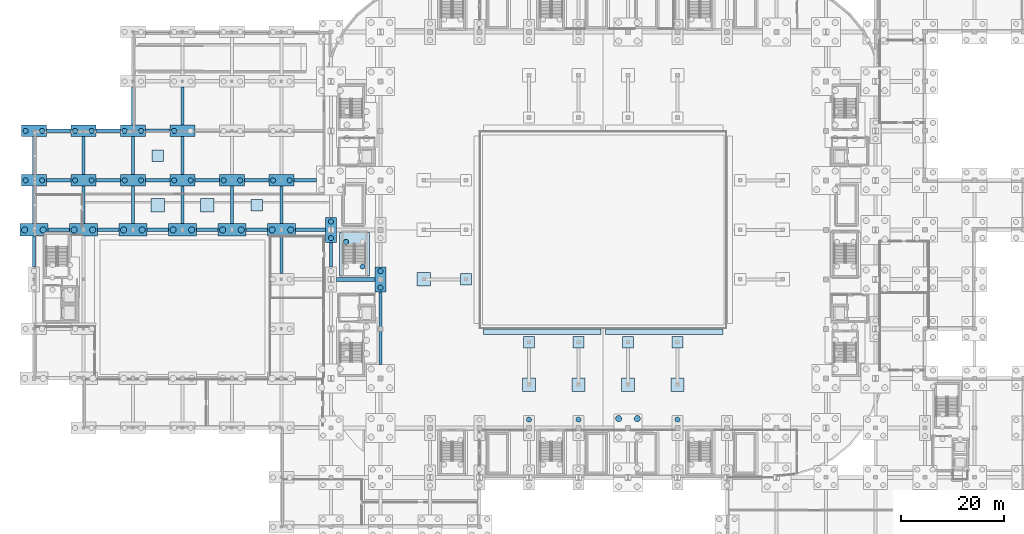
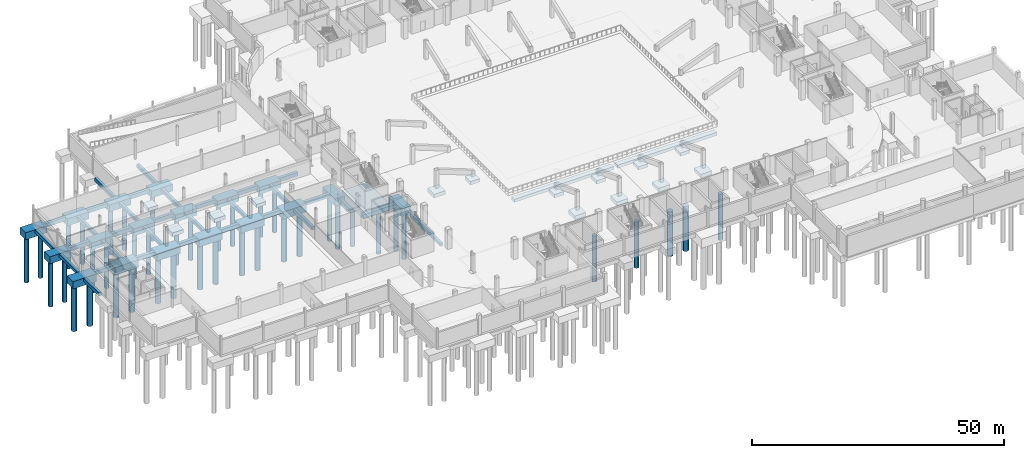
# One storey, part 3 of 67: 67 footings, 42 piles.
"""IFC4 building model written with IfcOpenShell, lengths in metres."""

from ifc_helpers import new_model, si_unit, direction, frame, origin, origin_2d, place, context, subcontext, project, spatial, polyline, rectangle, circle, outline, extrude, material, material_profile, profile_set, type_object, element, save


model = new_model("IFC4")

# Units and contexts
model_context = context("Model", 3, precision=1e-05, world=origin(), true_north=direction((0.0, 1.0)))
body_context = subcontext(model_context, "Body", "Model", "MODEL_VIEW")
ifc_project = project(units=[si_unit("LENGTHUNIT", "METRE"), si_unit("AREAUNIT", "SQUARE_METRE"), si_unit("VOLUMEUNIT", "CUBIC_METRE"), si_unit("PLANEANGLEUNIT", "RADIAN"), si_unit("MASSUNIT", "GRAM", prefix="KILO")], contexts=[model_context])

# Site, building, storey
site_placement = place(None, origin())
site = spatial("IfcSite", under=ifc_project, at=site_placement, CompositionType="ELEMENT")
building_placement = place(site_placement, origin())
building = spatial("IfcBuilding", under=site, at=building_placement, Name="Caelomonte Colonnade Arena", CompositionType="ELEMENT")
storey_placement = place(building_placement, frame((0.0, 0.0, -4.800048828125)))
storey = spatial("IfcBuildingStorey", under=building, at=storey_placement, Name="B1", CompositionType="ELEMENT", Elevation=-4.800048828125)

# Footings
ifc_material = material(Name="Concrete C40/50", Category="concrete")
footing_type_1 = type_object("IfcFootingType", Name="STR-FB-GB01", PredefinedType="FOOTING_BEAM", material=ifc_material)
footing_1_placement = place(storey_placement, frame((0.0, 0.0, -1.39990234375)))
element("IfcFooting", 1, at=footing_1_placement, inside=storey, type_object=footing_type_1, Name="Ground tie beam X (57.6..67.2, Y=57.6)", PredefinedType="FOOTING_BEAM", context=body_context, shape_type="SweptSolid", body=[
    extrude(outline(polyline([(58.699951171875, 57.22509765625), (66.10009765625, 57.22509765625), (66.10009765625, 57.97509765625), (58.699951171875, 57.97509765625), (58.699951171875, 57.22509765625)])), origin(), (0.0, 0.0, 1.0), 0.949951171875),
])
footing_type_2 = type_object("IfcFootingType", Name="STR-FB-GB02", PredefinedType="FOOTING_BEAM", material=ifc_material)
footing_2_placement = place(storey_placement, frame((0.0, 0.0, -1.349853515625)))
element("IfcFooting", 2, at=footing_2_placement, inside=storey, type_object=footing_type_2, Name="Ground tie beam X (0.0..9.6, Y=67.2)", PredefinedType="FOOTING_BEAM", context=body_context, shape_type="SweptSolid", body=[
    extrude(outline(polyline([(2.699951171875, 66.85009765625), (6.89990234375, 66.85009765625), (6.89990234375, 67.550048828125), (2.699951171875, 67.550048828125), (2.699951171875, 66.85009765625)])), origin(), (0.0, 0.0, 1.0), 0.89990234375),
])
footing_3_placement = place(storey_placement, frame((0.0, 0.0, -1.349853515625)))
element("IfcFooting", 3, at=footing_3_placement, inside=storey, type_object=footing_type_2, Name="Ground tie beam X (9.6..19.2, Y=67.2)", PredefinedType="FOOTING_BEAM", context=body_context, shape_type="SweptSolid", body=[
    extrude(outline(polyline([(12.300048828125, 66.85009765625), (16.5, 66.85009765625), (16.5, 67.550048828125), (12.300048828125, 67.550048828125), (12.300048828125, 66.85009765625)])), origin(), (0.0, 0.0, 1.0), 0.89990234375),
])
footing_4_placement = place(storey_placement, frame((0.0, 0.0, -1.349853515625)))
element("IfcFooting", 4, at=footing_4_placement, inside=storey, type_object=footing_type_2, Name="Ground tie beam X (19.2..28.8, Y=67.2)", PredefinedType="FOOTING_BEAM", context=body_context, shape_type="SweptSolid", body=[
    extrude(outline(polyline([(21.89990234375, 66.85009765625), (26.10009765625, 66.85009765625), (26.10009765625, 67.550048828125), (21.89990234375, 67.550048828125), (21.89990234375, 66.85009765625)])), origin(), (0.0, 0.0, 1.0), 0.89990234375),
])
footing_5_placement = place(storey_placement, frame((0.0, 0.0, -1.349853515625)))
element("IfcFooting", 5, at=footing_5_placement, inside=storey, type_object=footing_type_2, Name="Ground tie beam X (28.8..38.4, Y=67.2)", PredefinedType="FOOTING_BEAM", context=body_context, shape_type="SweptSolid", body=[
    extrude(outline(polyline([(31.5, 66.85009765625), (35.699951171875, 66.85009765625), (35.699951171875, 67.550048828125), (31.5, 67.550048828125), (31.5, 66.85009765625)])), origin(), (0.0, 0.0, 1.0), 0.89990234375),
])
footing_6_placement = place(storey_placement, frame((0.0, 0.0, -1.349853515625)))
element("IfcFooting", 6, at=footing_6_placement, inside=storey, type_object=footing_type_2, Name="Ground tie beam X (38.4..48.0, Y=67.2)", PredefinedType="FOOTING_BEAM", context=body_context, shape_type="SweptSolid", body=[
    extrude(outline(polyline([(41.10009765625, 66.85009765625), (45.300048828125, 66.85009765625), (45.300048828125, 67.550048828125), (41.10009765625, 67.550048828125), (41.10009765625, 66.85009765625)])), origin(), (0.0, 0.0, 1.0), 0.89990234375),
])
footing_7_placement = place(storey_placement, frame((0.0, 0.0, -1.349853515625)))
element("IfcFooting", 7, at=footing_7_placement, inside=storey, type_object=footing_type_2, Name="Ground tie beam X (48.0..57.6, Y=67.2)", PredefinedType="FOOTING_BEAM", context=body_context, shape_type="SweptSolid", body=[
    extrude(outline(polyline([(50.699951171875, 66.85009765625), (56.5, 66.85009765625), (56.5, 67.550048828125), (50.699951171875, 67.550048828125), (50.699951171875, 66.85009765625)])), origin(), (0.0, 0.0, 1.0), 0.89990234375),
])
footing_8_placement = place(storey_placement, frame((0.0, 0.0, -1.349853515625)))
element("IfcFooting", 8, at=footing_8_placement, inside=storey, type_object=footing_type_2, Name="Ground tie beam X (0.0..9.6, Y=76.8)", PredefinedType="FOOTING_BEAM", context=body_context, shape_type="SweptSolid", body=[
    extrude(outline(polyline([(2.43994140625, 76.449951171875), (7.159912109375, 76.449951171875), (7.159912109375, 77.14990234375), (2.43994140625, 77.14990234375), (2.43994140625, 76.449951171875)])), origin(), (0.0, 0.0, 1.0), 0.89990234375),
])
footing_9_placement = place(storey_placement, frame((0.0, 0.0, -1.349853515625)))
element("IfcFooting", 9, at=footing_9_placement, inside=storey, type_object=footing_type_2, Name="Ground tie beam X (9.6..19.2, Y=76.8)", PredefinedType="FOOTING_BEAM", context=body_context, shape_type="SweptSolid", body=[
    extrude(outline(polyline([(12.0400390625, 76.449951171875), (16.760009765625, 76.449951171875), (16.760009765625, 77.14990234375), (12.0400390625, 77.14990234375), (12.0400390625, 76.449951171875)])), origin(), (0.0, 0.0, 1.0), 0.89990234375),
])
footing_10_placement = place(storey_placement, frame((0.0, 0.0, -1.349853515625)))
element("IfcFooting", 10, at=footing_10_placement, inside=storey, type_object=footing_type_2, Name="Ground tie beam X (19.2..28.8, Y=76.8)", PredefinedType="FOOTING_BEAM", context=body_context, shape_type="SweptSolid", body=[
    extrude(outline(polyline([(21.639892578125, 76.449951171875), (26.360107421875, 76.449951171875), (26.360107421875, 77.14990234375), (21.639892578125, 77.14990234375), (21.639892578125, 76.449951171875)])), origin(), (0.0, 0.0, 1.0), 0.89990234375),
])
footing_11_placement = place(storey_placement, frame((0.0, 0.0, -1.349853515625)))
element("IfcFooting", 11, at=footing_11_placement, inside=storey, type_object=footing_type_2, Name="Ground tie beam X (28.8..38.4, Y=76.8)", PredefinedType="FOOTING_BEAM", context=body_context, shape_type="SweptSolid", body=[
    extrude(outline(polyline([(31.239990234375, 76.449951171875), (35.9599609375, 76.449951171875), (35.9599609375, 77.14990234375), (31.239990234375, 77.14990234375), (31.239990234375, 76.449951171875)])), origin(), (0.0, 0.0, 1.0), 0.89990234375),
])
footing_12_placement = place(storey_placement, frame((0.0, 0.0, -1.349853515625)))
element("IfcFooting", 12, at=footing_12_placement, inside=storey, type_object=footing_type_2, Name="Ground tie beam X (38.4..48.0, Y=76.8)", PredefinedType="FOOTING_BEAM", context=body_context, shape_type="SweptSolid", body=[
    extrude(outline(polyline([(40.840087890625, 76.449951171875), (45.56005859375, 76.449951171875), (45.56005859375, 77.14990234375), (40.840087890625, 77.14990234375), (40.840087890625, 76.449951171875)])), origin(), (0.0, 0.0, 1.0), 0.89990234375),
])
footing_13_placement = place(storey_placement, frame((0.0, 0.0, -1.349853515625)))
element("IfcFooting", 13, at=footing_13_placement, inside=storey, type_object=footing_type_2, Name="Ground tie beam X (48.0..57.6, Y=76.8)", PredefinedType="FOOTING_BEAM", context=body_context, shape_type="SweptSolid", body=[
    extrude(outline(polyline([(50.43994140625, 76.449951171875), (54.800048828125, 76.449951171875), (54.800048828125, 77.14990234375), (50.43994140625, 77.14990234375), (50.43994140625, 76.449951171875)])), origin(), (0.0, 0.0, 1.0), 0.89990234375),
])
footing_14_placement = place(storey_placement, frame((0.0, 0.0, -1.349853515625)))
element("IfcFooting", 14, at=footing_14_placement, inside=storey, type_object=footing_type_2, Name="Ground tie beam X (0.0..9.6, Y=86.4)", PredefinedType="FOOTING_BEAM", context=body_context, shape_type="SweptSolid", body=[
    extrude(outline(polyline([(2.43994140625, 86.050048828125), (7.159912109375, 86.050048828125), (7.159912109375, 86.75), (2.43994140625, 86.75), (2.43994140625, 86.050048828125)])), origin(), (0.0, 0.0, 1.0), 0.89990234375),
])
footing_15_placement = place(storey_placement, frame((0.0, 0.0, -1.349853515625)))
element("IfcFooting", 15, at=footing_15_placement, inside=storey, type_object=footing_type_2, Name="Ground tie beam X (9.6..19.2, Y=86.4)", PredefinedType="FOOTING_BEAM", context=body_context, shape_type="SweptSolid", body=[
    extrude(outline(polyline([(12.0400390625, 86.050048828125), (16.760009765625, 86.050048828125), (16.760009765625, 86.75), (12.0400390625, 86.75), (12.0400390625, 86.050048828125)])), origin(), (0.0, 0.0, 1.0), 0.89990234375),
])
footing_16_placement = place(storey_placement, frame((0.0, 0.0, -1.349853515625)))
element("IfcFooting", 16, at=footing_16_placement, inside=storey, type_object=footing_type_2, Name="Ground tie beam X (19.2..28.8, Y=86.4)", PredefinedType="FOOTING_BEAM", context=body_context, shape_type="SweptSolid", body=[
    extrude(outline(polyline([(21.639892578125, 86.050048828125), (26.360107421875, 86.050048828125), (26.360107421875, 86.75), (21.639892578125, 86.75), (21.639892578125, 86.050048828125)])), origin(), (0.0, 0.0, 1.0), 0.89990234375),
])
footing_type_3 = type_object("IfcFootingType", Name="STR-FB-GB04", PredefinedType="FOOTING_BEAM", material=ifc_material)
footing_17_placement = place(storey_placement, frame((0.0, 0.0, -1.25)))
element("IfcFooting", 17, at=footing_17_placement, inside=storey, type_object=footing_type_3, Name="Ground tie beam Y (X=0.0, 57.6..67.2)", PredefinedType="FOOTING_BEAM", context=body_context, shape_type="SweptSolid", body=[
    extrude(outline(polyline([(-0.300048828125, 60.0400390625), (0.300048828125, 60.0400390625), (0.300048828125, 66.0), (-0.300048828125, 66.0), (-0.300048828125, 60.0400390625)])), origin(), (0.0, 0.0, 1.0), 0.800048828125),
])
footing_18_placement = place(storey_placement, frame((0.0, 0.0, -1.25)))
element("IfcFooting", 18, at=footing_18_placement, inside=storey, type_object=footing_type_3, Name="Ground tie beam Y (X=0.0, 67.2..76.8)", PredefinedType="FOOTING_BEAM", context=body_context, shape_type="SweptSolid", body=[
    extrude(outline(polyline([(-0.300048828125, 68.39990234375), (0.300048828125, 68.39990234375), (0.300048828125, 75.699951171875), (-0.300048828125, 75.699951171875), (-0.300048828125, 68.39990234375)])), origin(), (0.0, 0.0, 1.0), 0.800048828125),
])
footing_19_placement = place(storey_placement, frame((0.0, 0.0, -1.25)))
element("IfcFooting", 19, at=footing_19_placement, inside=storey, type_object=footing_type_3, Name="Ground tie beam Y (X=0.0, 76.8..86.4)", PredefinedType="FOOTING_BEAM", context=body_context, shape_type="SweptSolid", body=[
    extrude(outline(polyline([(-0.300048828125, 77.89990234375), (0.300048828125, 77.89990234375), (0.300048828125, 85.300048828125), (-0.300048828125, 85.300048828125), (-0.300048828125, 77.89990234375)])), origin(), (0.0, 0.0, 1.0), 0.800048828125),
])
footing_20_placement = place(storey_placement, frame((0.0, 0.0, -1.25)))
element("IfcFooting", 20, at=footing_20_placement, inside=storey, type_object=footing_type_3, Name="Ground tie beam Y (X=9.6, 67.2..76.8)", PredefinedType="FOOTING_BEAM", context=body_context, shape_type="SweptSolid", body=[
    extrude(outline(polyline([(9.300048828125, 68.39990234375), (9.89990234375, 68.39990234375), (9.89990234375, 75.699951171875), (9.300048828125, 75.699951171875), (9.300048828125, 68.39990234375)])), origin(), (0.0, 0.0, 1.0), 0.800048828125),
])
footing_21_placement = place(storey_placement, frame((0.0, 0.0, -1.25)))
element("IfcFooting", 21, at=footing_21_placement, inside=storey, type_object=footing_type_3, Name="Ground tie beam Y (X=9.6, 76.8..86.4)", PredefinedType="FOOTING_BEAM", context=body_context, shape_type="SweptSolid", body=[
    extrude(outline(polyline([(9.300048828125, 77.89990234375), (9.89990234375, 77.89990234375), (9.89990234375, 85.300048828125), (9.300048828125, 85.300048828125), (9.300048828125, 77.89990234375)])), origin(), (0.0, 0.0, 1.0), 0.800048828125),
])
footing_22_placement = place(storey_placement, frame((0.0, 0.0, -1.25)))
element("IfcFooting", 22, at=footing_22_placement, inside=storey, type_object=footing_type_3, Name="Ground tie beam Y (X=19.2, 67.2..76.8)", PredefinedType="FOOTING_BEAM", context=body_context, shape_type="SweptSolid", body=[
    extrude(outline(polyline([(18.89990234375, 68.39990234375), (19.5, 68.39990234375), (19.5, 75.699951171875), (18.89990234375, 75.699951171875), (18.89990234375, 68.39990234375)])), origin(), (0.0, 0.0, 1.0), 0.800048828125),
])
footing_23_placement = place(storey_placement, frame((0.0, 0.0, -1.25)))
element("IfcFooting", 23, at=footing_23_placement, inside=storey, type_object=footing_type_3, Name="Ground tie beam Y (X=19.2, 76.8..86.4)", PredefinedType="FOOTING_BEAM", context=body_context, shape_type="SweptSolid", body=[
    extrude(outline(polyline([(18.89990234375, 77.89990234375), (19.5, 77.89990234375), (19.5, 85.300048828125), (18.89990234375, 85.300048828125), (18.89990234375, 77.89990234375)])), origin(), (0.0, 0.0, 1.0), 0.800048828125),
])
footing_24_placement = place(storey_placement, frame((0.0, 0.0, -1.25)))
element("IfcFooting", 24, at=footing_24_placement, inside=storey, type_object=footing_type_3, Name="Ground tie beam Y (X=19.2, 86.4..96.0)", PredefinedType="FOOTING_BEAM", context=body_context, shape_type="SweptSolid", body=[
    extrude(outline(polyline([(18.89990234375, 87.5), (19.5, 87.5), (19.5, 94.89990234375), (18.89990234375, 94.89990234375), (18.89990234375, 87.5)])), origin(), (0.0, 0.0, 1.0), 0.800048828125),
])
footing_25_placement = place(storey_placement, frame((0.0, 0.0, -1.25)))
element("IfcFooting", 25, at=footing_25_placement, inside=storey, type_object=footing_type_3, Name="Ground tie beam Y (X=28.8, 67.2..76.8)", PredefinedType="FOOTING_BEAM", context=body_context, shape_type="SweptSolid", body=[
    extrude(outline(polyline([(28.5, 68.39990234375), (29.10009765625, 68.39990234375), (29.10009765625, 75.699951171875), (28.5, 75.699951171875), (28.5, 68.39990234375)])), origin(), (0.0, 0.0, 1.0), 0.800048828125),
])
footing_26_placement = place(storey_placement, frame((0.0, 0.0, -1.25)))
element("IfcFooting", 26, at=footing_26_placement, inside=storey, type_object=footing_type_3, Name="Ground tie beam Y (X=28.8, 76.8..86.4)", PredefinedType="FOOTING_BEAM", context=body_context, shape_type="SweptSolid", body=[
    extrude(outline(polyline([(28.5, 77.89990234375), (29.10009765625, 77.89990234375), (29.10009765625, 85.300048828125), (28.5, 85.300048828125), (28.5, 77.89990234375)])), origin(), (0.0, 0.0, 1.0), 0.800048828125),
])
footing_27_placement = place(storey_placement, frame((0.0, 0.0, -1.25)))
element("IfcFooting", 27, at=footing_27_placement, inside=storey, type_object=footing_type_3, Name="Ground tie beam Y (X=28.8, 86.4..96.0)", PredefinedType="FOOTING_BEAM", context=body_context, shape_type="SweptSolid", body=[
    extrude(outline(polyline([(28.5, 87.5), (29.10009765625, 87.5), (29.10009765625, 94.89990234375), (28.5, 94.89990234375), (28.5, 87.5)])), origin(), (0.0, 0.0, 1.0), 0.800048828125),
])
footing_28_placement = place(storey_placement, frame((0.0, 0.0, -1.25)))
element("IfcFooting", 28, at=footing_28_placement, inside=storey, type_object=footing_type_3, Name="Ground tie beam Y (X=38.4, 67.2..76.8)", PredefinedType="FOOTING_BEAM", context=body_context, shape_type="SweptSolid", body=[
    extrude(outline(polyline([(38.10009765625, 68.39990234375), (38.699951171875, 68.39990234375), (38.699951171875, 75.699951171875), (38.10009765625, 75.699951171875), (38.10009765625, 68.39990234375)])), origin(), (0.0, 0.0, 1.0), 0.800048828125),
])
footing_29_placement = place(storey_placement, frame((0.0, 0.0, -1.25)))
element("IfcFooting", 29, at=footing_29_placement, inside=storey, type_object=footing_type_3, Name="Ground tie beam Y (X=48.0, 57.6..67.2)", PredefinedType="FOOTING_BEAM", context=body_context, shape_type="SweptSolid", body=[
    extrude(outline(polyline([(47.699951171875, 58.699951171875), (48.300048828125, 58.699951171875), (48.300048828125, 66.0), (47.699951171875, 66.0), (47.699951171875, 58.699951171875)])), origin(), (0.0, 0.0, 1.0), 0.800048828125),
])
footing_30_placement = place(storey_placement, frame((0.0, 0.0, -1.25)))
element("IfcFooting", 30, at=footing_30_placement, inside=storey, type_object=footing_type_3, Name="Ground tie beam Y (X=48.0, 67.2..76.8)", PredefinedType="FOOTING_BEAM", context=body_context, shape_type="SweptSolid", body=[
    extrude(outline(polyline([(47.699951171875, 68.39990234375), (48.300048828125, 68.39990234375), (48.300048828125, 75.699951171875), (47.699951171875, 75.699951171875), (47.699951171875, 68.39990234375)])), origin(), (0.0, 0.0, 1.0), 0.800048828125),
])
footing_31_placement = place(storey_placement, frame((0.0, 0.0, -1.25)))
element("IfcFooting", 31, at=footing_31_placement, inside=storey, type_object=footing_type_3, Name="Ground tie beam Y (X=57.6, 57.6..67.2)", PredefinedType="FOOTING_BEAM", context=body_context, shape_type="SweptSolid", body=[
    extrude(outline(polyline([(57.300048828125, 60.0400390625), (57.89990234375, 60.0400390625), (57.89990234375, 64.760009765625), (57.300048828125, 64.760009765625), (57.300048828125, 60.0400390625)])), origin(), (0.0, 0.0, 1.0), 0.800048828125),
])
footing_32_placement = place(storey_placement, frame((0.0, 0.0, -1.25)))
element("IfcFooting", 32, at=footing_32_placement, inside=storey, type_object=footing_type_3, Name="Ground tie beam Y (X=67.2, 38.4..57.6)", PredefinedType="FOOTING_BEAM", context=body_context, shape_type="SweptSolid", body=[
    extrude(outline(polyline([(66.89990234375, 41.10009765625), (67.5, 41.10009765625), (67.5, 55.159912109375), (66.89990234375, 55.159912109375), (66.89990234375, 41.10009765625)])), origin(), (0.0, 0.0, 1.0), 0.800048828125),
])
footing_type_4 = type_object("IfcFootingType", Name="STR-FC-PC06", PredefinedType="PILE_CAP", material=ifc_material)
for number, where, z_axis, x_axis, name in (
    (33, (0.0, 76.800048828125, -2.14990234375), (0.0, 0.0, 1.0), (1.0, 0.0, 0.0), "Pile cap FC-0000-0768"),
    (34, (0.0, 86.39990234375, -2.14990234375), (0.0, 0.0, 1.0), (1.0, 0.0, 0.0), "Pile cap FC-0000-0864"),
    (35, (9.60009765625, 76.800048828125, -2.14990234375), (0.0, 0.0, 1.0), (1.0, 0.0, 0.0), "Pile cap FC-0096-0768"),
    (36, (9.60009765625, 86.39990234375, -2.14990234375), (0.0, 0.0, 1.0), (1.0, 0.0, 0.0), "Pile cap FC-0096-0864"),
    (37, (19.199951171875, 76.800048828125, -2.14990234375), (0.0, 0.0, 1.0), (1.0, 0.0, 0.0), "Pile cap FC-0192-0768"),
    (38, (19.199951171875, 86.39990234375, -2.14990234375), (0.0, 0.0, 1.0), (1.0, 0.0, 0.0), "Pile cap FC-0192-0864"),
    (39, (28.800048828125, 76.800048828125, -2.14990234375), (0.0, 0.0, 1.0), (1.0, 0.0, 0.0), "Pile cap FC-0288-0768"),
    (40, (28.800048828125, 86.39990234375, -2.14990234375), (0.0, 0.0, 1.0), (1.0, 0.0, 0.0), "Pile cap FC-0288-0864"),
    (41, (38.39990234375, 76.800048828125, -2.14990234375), (0.0, 0.0, 1.0), (1.0, 0.0, 0.0), "Pile cap FC-0384-0768"),
    (42, (48.0, 76.800048828125, -2.14990234375), (0.0, 0.0, 1.0), (1.0, 0.0, 0.0), "Pile cap FC-0480-0768"),
):
    element("IfcFooting", number, at=place(storey_placement, frame(where, z_axis=z_axis, x_axis=x_axis)), inside=storey, type_object=footing_type_4, Name=name, PredefinedType="PILE_CAP", context=body_context, shape_type="SweptSolid", body=[
        extrude(rectangle(XDim=4.8798828125, YDim=2.199951171875, at=origin_2d()), origin(), (0.0, 0.0, 1.0), 1.699951171875),
    ])
footing_type_5 = type_object("IfcFootingType", Name="STR-FC-PC07", PredefinedType="PILE_CAP", material=ifc_material)
for number, where, z_axis, x_axis, name in (
    (43, (57.60009765625, 67.199951171875, -2.14990234375), (0.0, 0.0, 1.0), (1.0, 0.0, 0.0), "Pile cap FC-0576-0672"),
    (44, (67.199951171875, 57.60009765625, -2.14990234375), (0.0, 0.0, 1.0), (1.0, 0.0, 0.0), "Pile cap FC-0672-0576"),
):
    element("IfcFooting", number, at=place(storey_placement, frame(where, z_axis=z_axis, x_axis=x_axis)), inside=storey, type_object=footing_type_5, Name=name, PredefinedType="PILE_CAP", context=body_context, shape_type="SweptSolid", body=[
        extrude(rectangle(XDim=2.199951171875, YDim=4.8798828125, at=origin_2d()), origin(), (0.0, 0.0, 1.0), 1.699951171875),
    ])
footing_type_6 = type_object("IfcFootingType", Name="STR-FC-PC08", PredefinedType="PILE_CAP", material=ifc_material)
for number, where, z_axis, x_axis, name in (
    (45, (0.0, 67.199951171875, -2.25), (0.0, 0.0, 1.0), (1.0, 0.0, 0.0), "Pile cap FC-0000-0672"),
    (46, (9.60009765625, 67.199951171875, -2.25), (0.0, 0.0, 1.0), (1.0, 0.0, 0.0), "Pile cap FC-0096-0672"),
    (47, (19.199951171875, 67.199951171875, -2.25), (0.0, 0.0, 1.0), (1.0, 0.0, 0.0), "Pile cap FC-0192-0672"),
    (48, (28.800048828125, 67.199951171875, -2.25), (0.0, 0.0, 1.0), (1.0, 0.0, 0.0), "Pile cap FC-0288-0672"),
    (49, (38.39990234375, 67.199951171875, -2.25), (0.0, 0.0, 1.0), (1.0, 0.0, 0.0), "Pile cap FC-0384-0672"),
    (50, (48.0, 67.199951171875, -2.25), (0.0, 0.0, 1.0), (1.0, 0.0, 0.0), "Pile cap FC-0480-0672"),
):
    element("IfcFooting", number, at=place(storey_placement, frame(where, z_axis=z_axis, x_axis=x_axis)), inside=storey, type_object=footing_type_6, Name=name, PredefinedType="PILE_CAP", context=body_context, shape_type="SweptSolid", body=[
        extrude(rectangle(XDim=5.39990234375, YDim=2.39990234375, at=origin_2d()), origin(), (0.0, 0.0, 1.0), 1.800048828125),
    ])
footing_type_7 = type_object("IfcFootingType", Name="STR-FC-PC12", PredefinedType="PILE_CAP", material=ifc_material)
footing_33_placement = place(storey_placement, frame((62.14990234375, 62.47509765625, -2.349853515625), z_axis=(0.0, 0.0, 1.0), x_axis=(1.0, 0.0, 0.0)))
element("IfcFooting", 51, at=footing_33_placement, inside=storey, type_object=footing_type_7, Name="Exit stair ST-09 pile cap", PredefinedType="PILE_CAP", context=body_context, shape_type="SweptSolid", body=[
    extrude(rectangle(XDim=5.800048828125, YDim=8.39990234375, at=origin_2d()), origin(), (0.0, 0.0, 1.0), 1.89990234375),
])
footing_type_8 = type_object("IfcFootingType", Name="STR-FD-PF01", PredefinedType="PAD_FOOTING", material=ifc_material)
for number, where, z_axis, x_axis, name in (
    (52, (24.0, 72.0, -1.349853515625), (0.0, 0.0, 1.0), (1.0, 0.0, 0.0), "Equipment pad footing PF-01"),
    (53, (33.60009765625, 72.0, -1.349853515625), (0.0, 0.0, 1.0), (1.0, 0.0, 0.0), "Equipment pad footing PF-02"),
    (54, (96.0, 37.199951171875, -1.349853515625), (0.0, 0.0, 1.0), (1.0, 0.0, 0.0), "Raker mid pier footing S-96"),
    (55, (105.60009765625, 37.199951171875, -1.349853515625), (0.0, 0.0, 1.0), (1.0, 0.0, 0.0), "Raker mid pier footing S-105"),
    (56, (115.199951171875, 37.199951171875, -1.349853515625), (0.0, 0.0, 1.0), (1.0, 0.0, 0.0), "Raker mid pier footing S-115"),
    (57, (124.800048828125, 37.199951171875, -1.349853515625), (0.0, 0.0, 1.0), (1.0, 0.0, 0.0), "Raker mid pier footing S-124"),
    (58, (75.60009765625, 57.60009765625, -1.349853515625), (0.0, 0.0, 1.0), (1.0, 0.0, 0.0), "Raker mid pier footing W-57"),
):
    element("IfcFooting", number, at=place(storey_placement, frame(where, z_axis=z_axis, x_axis=x_axis)), inside=storey, type_object=footing_type_8, Name=name, PredefinedType="PAD_FOOTING", context=body_context, shape_type="SweptSolid", body=[
        extrude(rectangle(XDim=2.60009765625, YDim=2.60009765625, at=origin_2d()), origin(), (0.0, 0.0, 1.0), 0.89990234375),
    ])
footing_type_9 = type_object("IfcFootingType", Name="STR-FD-PF02", PredefinedType="PAD_FOOTING", material=ifc_material)
for number, where, z_axis, x_axis, name in (
    (59, (43.199951171875, 72.0, -1.25), (0.0, 0.0, 1.0), (1.0, 0.0, 0.0), "Equipment pad footing PF-03"),
    (60, (24.0, 81.60009765625, -1.25), (0.0, 0.0, 1.0), (1.0, 0.0, 0.0), "Equipment pad footing PF-04"),
    (61, (96.0, 45.39990234375, -1.25), (0.0, 0.0, 1.0), (1.0, 0.0, 0.0), "Raker inner pier footing S-96"),
    (62, (105.60009765625, 45.39990234375, -1.25), (0.0, 0.0, 1.0), (1.0, 0.0, 0.0), "Raker inner pier footing S-105"),
    (63, (115.199951171875, 45.39990234375, -1.25), (0.0, 0.0, 1.0), (1.0, 0.0, 0.0), "Raker inner pier footing S-115"),
    (64, (124.800048828125, 45.39990234375, -1.25), (0.0, 0.0, 1.0), (1.0, 0.0, 0.0), "Raker inner pier footing S-124"),
    (65, (83.800048828125, 57.60009765625, -1.25), (0.0, 0.0, 1.0), (1.0, 0.0, 0.0), "Raker inner pier footing W-57"),
):
    element("IfcFooting", number, at=place(storey_placement, frame(where, z_axis=z_axis, x_axis=x_axis)), inside=storey, type_object=footing_type_9, Name=name, PredefinedType="PAD_FOOTING", context=body_context, shape_type="SweptSolid", body=[
        extrude(rectangle(XDim=2.199951171875, YDim=2.199951171875, at=origin_2d()), origin(), (0.0, 0.0, 1.0), 0.800048828125),
    ])
footing_type_10 = type_object("IfcFootingType", Name="STR-FD-SF01", PredefinedType="STRIP_FOOTING", material=ifc_material)
footing_34_placement = place(storey_placement, frame((0.0, 0.0, -1.199951171875)))
element("IfcFooting", 66, at=footing_34_placement, inside=storey, type_object=footing_type_10, Name="Bowl perimeter strip footing SF-S1", PredefinedType="STRIP_FOOTING", context=body_context, shape_type="SweptSolid", body=[
    extrude(outline(polyline([(87.199951171875, 46.89990234375), (110.0, 46.89990234375), (110.0, 48.0), (87.199951171875, 48.0), (87.199951171875, 46.89990234375)])), origin(), (0.0, 0.0, 1.0), 0.75),
])
footing_35_placement = place(storey_placement, frame((0.0, 0.0, -1.199951171875)))
element("IfcFooting", 67, at=footing_35_placement, inside=storey, type_object=footing_type_10, Name="Bowl perimeter strip footing SF-S2", PredefinedType="STRIP_FOOTING", context=body_context, shape_type="SweptSolid", body=[
    extrude(outline(polyline([(110.800048828125, 46.89990234375), (133.60009765625, 46.89990234375), (133.60009765625, 48.0), (110.800048828125, 48.0), (110.800048828125, 46.89990234375)])), origin(), (0.0, 0.0, 1.0), 0.75),
])

# Piles
ifc_material_profile_1 = material_profile(ifc_material, circle(Radius=0.5, at=origin_2d()), Name="PILE-D1000")
ifc_profile_set_1 = profile_set([ifc_material_profile_1], Name="Concrete C40/50")
pile_type_1 = type_object("IfcPileType", Name="STR-PL-D1000", PredefinedType="BORED", material=ifc_profile_set_1)
for number, where, z_axis, x_axis, name in (
    (68, (60.550048828125, 64.875, -2.25), (0.0, 0.0, -1.0), (1.0, 0.0, 0.0), "Stair ST-09 rock-socketed pile 2"),
    (69, (63.75, 60.074951171875, -2.25), (0.0, 0.0, -1.0), (1.0, 0.0, 0.0), "Stair ST-09 rock-socketed pile 3"),
):
    element("IfcPile", number, at=place(storey_placement, frame(where, z_axis=z_axis, x_axis=x_axis)), inside=storey, type_object=pile_type_1, Name=name, PredefinedType="BORED", context=body_context, shape_type="SweptSolid", body=[
        extrude(circle(Radius=0.5, at=origin_2d()), origin(), (0.0, 0.0, 1.0), 10.949951171875),
    ])
for number, where, z_axis, x_axis, name in (
    (70, (-1.60009765625, 76.800048828125, -2.050048828125), (0.0, 0.0, -1.0), (1.0, 0.0, 0.0), "Rock-socketed bored pile FC-0000-0768-1"),
    (71, (1.60009765625, 76.800048828125, -2.050048828125), (0.0, 0.0, -1.0), (1.0, 0.0, 0.0), "Rock-socketed bored pile FC-0000-0768-2"),
    (72, (-1.60009765625, 86.39990234375, -2.050048828125), (0.0, 0.0, -1.0), (1.0, 0.0, 0.0), "Rock-socketed bored pile FC-0000-0864-1"),
    (73, (1.60009765625, 86.39990234375, -2.050048828125), (0.0, 0.0, -1.0), (1.0, 0.0, 0.0), "Rock-socketed bored pile FC-0000-0864-2"),
    (74, (8.0, 76.800048828125, -2.050048828125), (0.0, 0.0, -1.0), (1.0, 0.0, 0.0), "Rock-socketed bored pile FC-0096-0768-1"),
    (75, (11.199951171875, 76.800048828125, -2.050048828125), (0.0, 0.0, -1.0), (1.0, 0.0, 0.0), "Rock-socketed bored pile FC-0096-0768-2"),
    (76, (8.0, 86.39990234375, -2.050048828125), (0.0, 0.0, -1.0), (1.0, 0.0, 0.0), "Rock-socketed bored pile FC-0096-0864-1"),
    (77, (11.199951171875, 86.39990234375, -2.050048828125), (0.0, 0.0, -1.0), (1.0, 0.0, 0.0), "Rock-socketed bored pile FC-0096-0864-2"),
    (78, (17.60009765625, 76.800048828125, -2.050048828125), (0.0, 0.0, -1.0), (1.0, 0.0, 0.0), "Rock-socketed bored pile FC-0192-0768-1"),
    (79, (20.800048828125, 76.800048828125, -2.050048828125), (0.0, 0.0, -1.0), (1.0, 0.0, 0.0), "Rock-socketed bored pile FC-0192-0768-2"),
    (80, (17.60009765625, 86.39990234375, -2.050048828125), (0.0, 0.0, -1.0), (1.0, 0.0, 0.0), "Rock-socketed bored pile FC-0192-0864-1"),
    (81, (20.800048828125, 86.39990234375, -2.050048828125), (0.0, 0.0, -1.0), (1.0, 0.0, 0.0), "Rock-socketed bored pile FC-0192-0864-2"),
    (82, (27.199951171875, 76.800048828125, -2.050048828125), (0.0, 0.0, -1.0), (1.0, 0.0, 0.0), "Rock-socketed bored pile FC-0288-0768-1"),
    (83, (30.39990234375, 76.800048828125, -2.050048828125), (0.0, 0.0, -1.0), (1.0, 0.0, 0.0), "Rock-socketed bored pile FC-0288-0768-2"),
    (84, (27.199951171875, 86.39990234375, -2.050048828125), (0.0, 0.0, -1.0), (1.0, 0.0, 0.0), "Rock-socketed bored pile FC-0288-0864-1"),
    (85, (36.800048828125, 76.800048828125, -2.050048828125), (0.0, 0.0, -1.0), (1.0, 0.0, 0.0), "Rock-socketed bored pile FC-0384-0768-1"),
    (86, (40.0, 76.800048828125, -2.050048828125), (0.0, 0.0, -1.0), (1.0, 0.0, 0.0), "Rock-socketed bored pile FC-0384-0768-2"),
    (87, (46.39990234375, 76.800048828125, -2.050048828125), (0.0, 0.0, -1.0), (1.0, 0.0, 0.0), "Rock-socketed bored pile FC-0480-0768-1"),
    (88, (49.60009765625, 76.800048828125, -2.050048828125), (0.0, 0.0, -1.0), (1.0, 0.0, 0.0), "Rock-socketed bored pile FC-0480-0768-2"),
    (89, (57.60009765625, 65.60009765625, -2.050048828125), (0.0, 0.0, -1.0), (1.0, 0.0, 0.0), "Rock-socketed bored pile FC-0576-0672-1"),
    (90, (57.60009765625, 68.800048828125, -2.050048828125), (0.0, 0.0, -1.0), (1.0, 0.0, 0.0), "Rock-socketed bored pile FC-0576-0672-2"),
    (91, (67.199951171875, 56.0, -2.050048828125), (0.0, 0.0, -1.0), (1.0, 0.0, 0.0), "Rock-socketed bored pile FC-0672-0576-1"),
    (92, (67.199951171875, 59.199951171875, -2.050048828125), (0.0, 0.0, -1.0), (1.0, 0.0, 0.0), "Rock-socketed bored pile FC-0672-0576-2"),
    (93, (96.0, 30.39990234375, -2.050048828125), (0.0, 0.0, -1.0), (1.0, 0.0, 0.0), "Rock-socketed bored pile FC-0960-0288-2"),
    (94, (105.60009765625, 30.39990234375, -2.050048828125), (0.0, 0.0, -1.0), (1.0, 0.0, 0.0), "Rock-socketed bored pile FC-1056-0288-2"),
    (95, (124.800048828125, 30.39990234375, -2.050048828125), (0.0, 0.0, -1.0), (1.0, 0.0, 0.0), "Rock-socketed bored pile FC-1248-0288-2"),
):
    element("IfcPile", number, at=place(storey_placement, frame(where, z_axis=z_axis, x_axis=x_axis)), inside=storey, type_object=pile_type_1, Name=name, PredefinedType="BORED", context=body_context, shape_type="SweptSolid", body=[
        extrude(circle(Radius=0.5, at=origin_2d()), origin(), (0.0, 0.0, 1.0), 11.14990234375),
    ])
ifc_material_profile_2 = material_profile(ifc_material, circle(Radius=0.60009765625, at=origin_2d()), Name="PILE-D1200")
ifc_profile_set_2 = profile_set([ifc_material_profile_2], Name="Concrete C40/50")
pile_type_2 = type_object("IfcPileType", Name="STR-PL-D1200", PredefinedType="BORED", material=ifc_profile_set_2)
for number, where, z_axis, x_axis, name in (
    (96, (-1.800048828125, 67.199951171875, -2.14990234375), (0.0, 0.0, -1.0), (1.0, 0.0, 0.0), "Rock-socketed bored pile FC-0000-0672-1"),
    (97, (1.800048828125, 67.199951171875, -2.14990234375), (0.0, 0.0, -1.0), (1.0, 0.0, 0.0), "Rock-socketed bored pile FC-0000-0672-2"),
    (98, (7.800048828125, 67.199951171875, -2.14990234375), (0.0, 0.0, -1.0), (1.0, 0.0, 0.0), "Rock-socketed bored pile FC-0096-0672-1"),
    (99, (11.39990234375, 67.199951171875, -2.14990234375), (0.0, 0.0, -1.0), (1.0, 0.0, 0.0), "Rock-socketed bored pile FC-0096-0672-2"),
    (100, (17.39990234375, 67.199951171875, -2.14990234375), (0.0, 0.0, -1.0), (1.0, 0.0, 0.0), "Rock-socketed bored pile FC-0192-0672-1"),
    (101, (21.0, 67.199951171875, -2.14990234375), (0.0, 0.0, -1.0), (1.0, 0.0, 0.0), "Rock-socketed bored pile FC-0192-0672-2"),
    (102, (27.0, 67.199951171875, -2.14990234375), (0.0, 0.0, -1.0), (1.0, 0.0, 0.0), "Rock-socketed bored pile FC-0288-0672-1"),
    (103, (30.60009765625, 67.199951171875, -2.14990234375), (0.0, 0.0, -1.0), (1.0, 0.0, 0.0), "Rock-socketed bored pile FC-0288-0672-2"),
    (104, (36.60009765625, 67.199951171875, -2.14990234375), (0.0, 0.0, -1.0), (1.0, 0.0, 0.0), "Rock-socketed bored pile FC-0384-0672-1"),
    (105, (40.199951171875, 67.199951171875, -2.14990234375), (0.0, 0.0, -1.0), (1.0, 0.0, 0.0), "Rock-socketed bored pile FC-0384-0672-2"),
    (106, (46.199951171875, 67.199951171875, -2.14990234375), (0.0, 0.0, -1.0), (1.0, 0.0, 0.0), "Rock-socketed bored pile FC-0480-0672-1"),
    (107, (49.800048828125, 67.199951171875, -2.14990234375), (0.0, 0.0, -1.0), (1.0, 0.0, 0.0), "Rock-socketed bored pile FC-0480-0672-2"),
):
    element("IfcPile", number, at=place(storey_placement, frame(where, z_axis=z_axis, x_axis=x_axis)), inside=storey, type_object=pile_type_2, Name=name, PredefinedType="BORED", context=body_context, shape_type="SweptSolid", body=[
        extrude(circle(Radius=0.60009765625, at=origin_2d()), origin(), (0.0, 0.0, 1.0), 11.050048828125),
    ])
for number, where, z_axis, x_axis, name in (
    (108, (113.39990234375, 30.60009765625, -2.349853515625), (0.0, 0.0, -1.0), (1.0, 0.0, 0.0), "Rock-socketed bored pile FC-1152-0288-3"),
    (109, (117.0, 30.60009765625, -2.349853515625), (0.0, 0.0, -1.0), (1.0, 0.0, 0.0), "Rock-socketed bored pile FC-1152-0288-4"),
):
    element("IfcPile", number, at=place(storey_placement, frame(where, z_axis=z_axis, x_axis=x_axis)), inside=storey, type_object=pile_type_2, Name=name, PredefinedType="BORED", context=body_context, shape_type="SweptSolid", body=[
        extrude(circle(Radius=0.60009765625, at=origin_2d()), origin(), (0.0, 0.0, 1.0), 10.85009765625),
    ])

save(model, "model.ifc")
